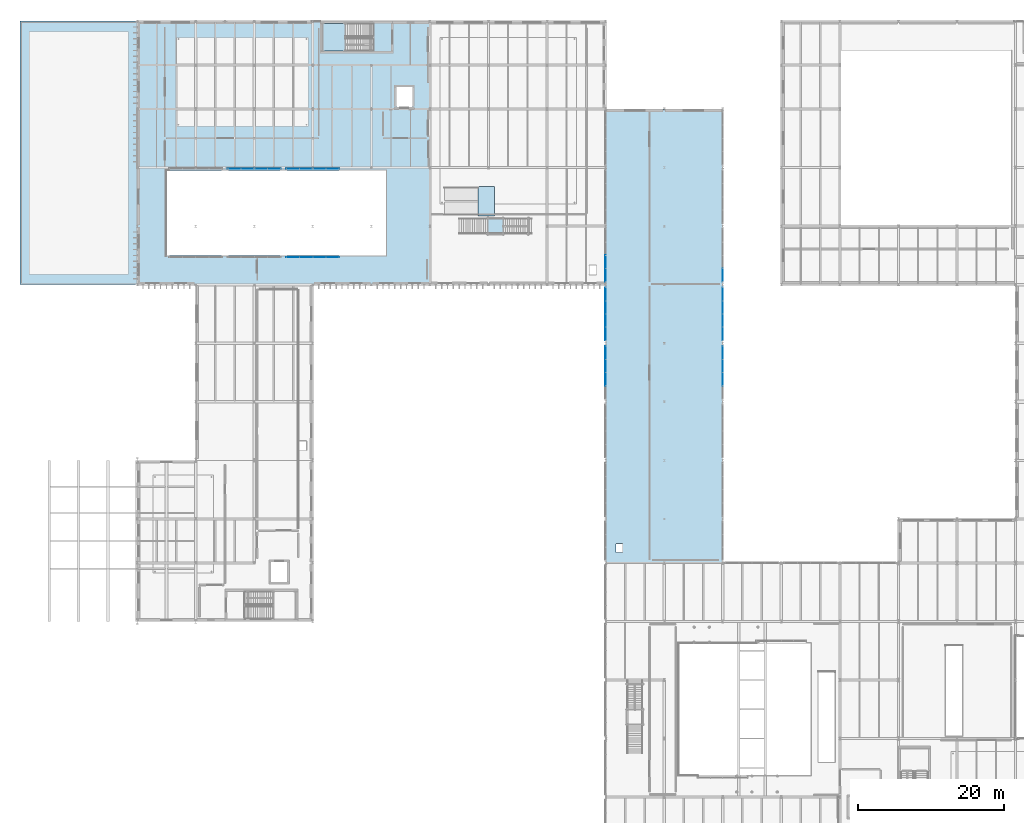
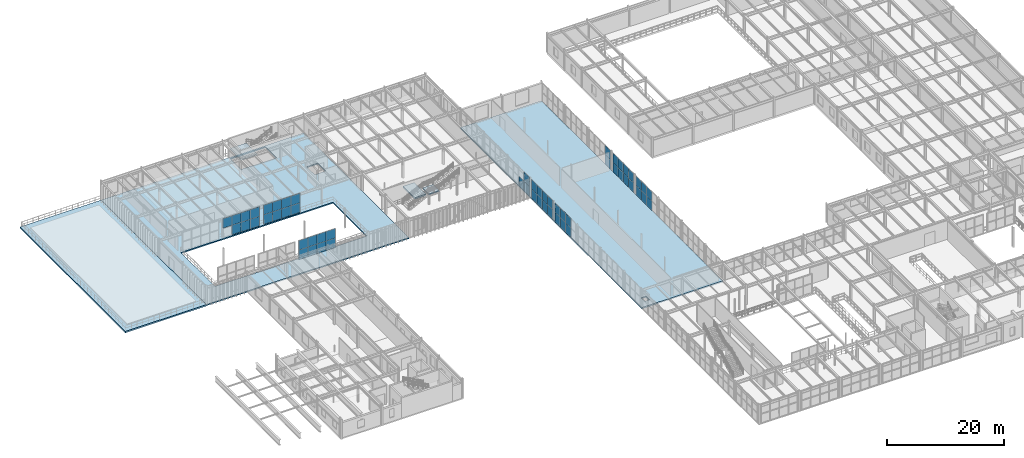
# One storey, part 71 of 122: 56 plates, 6 slabs, 12 elements without a shape of their own.
"""IFC4 building model written with IfcOpenShell, lengths in metres."""

from ifc_helpers import new_model, si_unit, direction, frame, origin, origin_2d, place, context, subcontext, project, spatial, polyline, rectangle, outline, extrude, material, layer, layer_set, type_object, element, aggregate, save


model = new_model("IFC4")

# Units and contexts
model_context = context("Model", 3, precision=1e-05, world=origin(), true_north=direction((0.0, 1.0)))
body_context = subcontext(model_context, "Body", "Model", "MODEL_VIEW")
ifc_project = project(units=[si_unit("LENGTHUNIT", "METRE"), si_unit("AREAUNIT", "SQUARE_METRE"), si_unit("VOLUMEUNIT", "CUBIC_METRE"), si_unit("PLANEANGLEUNIT", "RADIAN"), si_unit("MASSUNIT", "GRAM", prefix="KILO")], contexts=[model_context])

# Site, building, storey
site_placement = place(None, origin())
site = spatial("IfcSite", under=ifc_project, at=site_placement, CompositionType="ELEMENT")
building_placement = place(site_placement, origin())
building = spatial("IfcBuilding", under=site, at=building_placement, Name="Sundkrona Museum", CompositionType="ELEMENT")
storey_placement = place(building_placement, frame((0.0, 0.0, 5.39990234375)))
storey = spatial("IfcBuildingStorey", under=building, at=storey_placement, Name="L01", CompositionType="ELEMENT", Elevation=5.39990234375)

# Curtain wall, plates
ifc_material_1 = material(Name="Unitised Aluminium-Steel and Ceramic-Clad Curtain Walling", Category="steel")
curtain_wall_type_1 = type_object("IfcCurtainWallType", Name="CW-PS-54x38", PredefinedType="NOTDEFINED", material=ifc_material_1)
curtain_wall_1_placement = place(storey_placement, origin())
curtain_wall_1 = element("IfcCurtainWall", 1, at=curtain_wall_1_placement, inside=storey, type_object=curtain_wall_type_1, Name="L01 Curtain Wall CW-L01-114", PredefinedType="NOTDEFINED")
ifc_material_2 = material(Name="Triple Low-E Vision Glazing 32 mm", Category="glass")
ifc_layer_1 = layer(ifc_material_2, 0.031982421875)
ifc_layer_set_1 = layer_set([ifc_layer_1], Name="Triple Low-E Vision Glazing 32 mm")
plate_type = type_object("IfcPlateType", Name="PN-GL-01", PredefinedType="CURTAIN_PANEL", material=ifc_layer_set_1)
plate_1_placement = place(storey_placement, frame((80.0, 65.10009765625, -0.00390625), z_axis=(0.0, 0.0, 1.0), x_axis=(0.0, 1.0, 0.0)))
plate_1 = element("IfcPlate", 2, at=plate_1_placement, type_object=plate_type, Name="CW-L01-114 Panel 03", PredefinedType="CURTAIN_PANEL", context=body_context, shape_type="SweptSolid", body=[
    extrude(rectangle(XDim=1.800048828125, YDim=0.031982421875, at=origin_2d()), origin(), (0.0, 0.0, 1.0), 1.964111328125),
])
plate_2_placement = place(storey_placement, frame((80.0, 65.10009765625, 1.9599609375), z_axis=(0.0, 0.0, 1.0), x_axis=(0.0, 1.0, 0.0)))
plate_2 = element("IfcPlate", 3, at=plate_2_placement, type_object=plate_type, Name="CW-L01-114 Panel 04", PredefinedType="CURTAIN_PANEL", context=body_context, shape_type="SweptSolid", body=[
    extrude(rectangle(XDim=1.800048828125, YDim=0.031982421875, at=origin_2d()), origin(), (0.0, 0.0, 1.0), 1.964111328125),
])
plate_3_placement = place(storey_placement, frame((80.0, 66.89990234375, -0.00390625), z_axis=(0.0, 0.0, 1.0), x_axis=(0.0, 1.0, 0.0)))
plate_3 = element("IfcPlate", 4, at=plate_3_placement, type_object=plate_type, Name="CW-L01-114 Panel 05", PredefinedType="CURTAIN_PANEL", context=body_context, shape_type="SweptSolid", body=[
    extrude(rectangle(XDim=1.800048828125, YDim=0.031982421875, at=origin_2d()), origin(), (0.0, 0.0, 1.0), 1.964111328125),
])
plate_4_placement = place(storey_placement, frame((80.0, 66.89990234375, 1.9599609375), z_axis=(0.0, 0.0, 1.0), x_axis=(0.0, 1.0, 0.0)))
plate_4 = element("IfcPlate", 5, at=plate_4_placement, type_object=plate_type, Name="CW-L01-114 Panel 06", PredefinedType="CURTAIN_PANEL", context=body_context, shape_type="SweptSolid", body=[
    extrude(rectangle(XDim=1.800048828125, YDim=0.031982421875, at=origin_2d()), origin(), (0.0, 0.0, 1.0), 1.964111328125),
])
plate_5_placement = place(storey_placement, frame((80.0, 68.699951171875, -0.00390625), z_axis=(0.0, 0.0, 1.0), x_axis=(0.0, 1.0, 0.0)))
plate_5 = element("IfcPlate", 6, at=plate_5_placement, type_object=plate_type, Name="CW-L01-114 Panel 07", PredefinedType="CURTAIN_PANEL", context=body_context, shape_type="SweptSolid", body=[
    extrude(rectangle(XDim=1.800048828125, YDim=0.031982421875, at=origin_2d()), origin(), (0.0, 0.0, 1.0), 1.964111328125),
])
plate_6_placement = place(storey_placement, frame((80.0, 68.699951171875, 1.9599609375), z_axis=(0.0, 0.0, 1.0), x_axis=(0.0, 1.0, 0.0)))
plate_6 = element("IfcPlate", 7, at=plate_6_placement, type_object=plate_type, Name="CW-L01-114 Panel 08", PredefinedType="CURTAIN_PANEL", context=body_context, shape_type="SweptSolid", body=[
    extrude(rectangle(XDim=1.800048828125, YDim=0.031982421875, at=origin_2d()), origin(), (0.0, 0.0, 1.0), 1.964111328125),
])
aggregate(curtain_wall_1, [plate_1, plate_2, plate_3, plate_4, plate_5, plate_6])

curtain_wall_2_placement = place(storey_placement, origin())
curtain_wall_2 = element("IfcCurtainWall", 8, at=curtain_wall_2_placement, inside=storey, type_object=curtain_wall_type_1, Name="L01 Curtain Wall CW-L01-115", PredefinedType="NOTDEFINED")
plate_7_placement = place(storey_placement, frame((96.0, 65.10009765625, -0.00390625), z_axis=(0.0, 0.0, 1.0), x_axis=(0.0, 1.0, 0.0)))
plate_7 = element("IfcPlate", 9, at=plate_7_placement, type_object=plate_type, Name="CW-L01-115 Panel 03", PredefinedType="CURTAIN_PANEL", context=body_context, shape_type="SweptSolid", body=[
    extrude(rectangle(XDim=1.800048828125, YDim=0.031982421875, at=origin_2d()), origin(), (0.0, 0.0, 1.0), 1.964111328125),
])
plate_8_placement = place(storey_placement, frame((96.0, 65.10009765625, 1.9599609375), z_axis=(0.0, 0.0, 1.0), x_axis=(0.0, 1.0, 0.0)))
plate_8 = element("IfcPlate", 10, at=plate_8_placement, type_object=plate_type, Name="CW-L01-115 Panel 04", PredefinedType="CURTAIN_PANEL", context=body_context, shape_type="SweptSolid", body=[
    extrude(rectangle(XDim=1.800048828125, YDim=0.031982421875, at=origin_2d()), origin(), (0.0, 0.0, 1.0), 1.964111328125),
])
plate_9_placement = place(storey_placement, frame((96.0, 66.89990234375, -0.00390625), z_axis=(0.0, 0.0, 1.0), x_axis=(0.0, 1.0, 0.0)))
plate_9 = element("IfcPlate", 11, at=plate_9_placement, type_object=plate_type, Name="CW-L01-115 Panel 05", PredefinedType="CURTAIN_PANEL", context=body_context, shape_type="SweptSolid", body=[
    extrude(rectangle(XDim=1.800048828125, YDim=0.031982421875, at=origin_2d()), origin(), (0.0, 0.0, 1.0), 1.964111328125),
])
plate_10_placement = place(storey_placement, frame((96.0, 66.89990234375, 1.9599609375), z_axis=(0.0, 0.0, 1.0), x_axis=(0.0, 1.0, 0.0)))
plate_10 = element("IfcPlate", 12, at=plate_10_placement, type_object=plate_type, Name="CW-L01-115 Panel 06", PredefinedType="CURTAIN_PANEL", context=body_context, shape_type="SweptSolid", body=[
    extrude(rectangle(XDim=1.800048828125, YDim=0.031982421875, at=origin_2d()), origin(), (0.0, 0.0, 1.0), 1.964111328125),
])
plate_11_placement = place(storey_placement, frame((96.0, 68.699951171875, -0.00390625), z_axis=(0.0, 0.0, 1.0), x_axis=(0.0, 1.0, 0.0)))
plate_11 = element("IfcPlate", 13, at=plate_11_placement, type_object=plate_type, Name="CW-L01-115 Panel 07", PredefinedType="CURTAIN_PANEL", context=body_context, shape_type="SweptSolid", body=[
    extrude(rectangle(XDim=1.800048828125, YDim=0.031982421875, at=origin_2d()), origin(), (0.0, 0.0, 1.0), 1.964111328125),
])
plate_12_placement = place(storey_placement, frame((96.0, 68.699951171875, 1.9599609375), z_axis=(0.0, 0.0, 1.0), x_axis=(0.0, 1.0, 0.0)))
plate_12 = element("IfcPlate", 14, at=plate_12_placement, type_object=plate_type, Name="CW-L01-115 Panel 08", PredefinedType="CURTAIN_PANEL", context=body_context, shape_type="SweptSolid", body=[
    extrude(rectangle(XDim=1.800048828125, YDim=0.031982421875, at=origin_2d()), origin(), (0.0, 0.0, 1.0), 1.964111328125),
])
aggregate(curtain_wall_2, [plate_7, plate_8, plate_9, plate_10, plate_11, plate_12])

curtain_wall_3_placement = place(storey_placement, origin())
curtain_wall_3 = element("IfcCurtainWall", 15, at=curtain_wall_3_placement, inside=storey, type_object=curtain_wall_type_1, Name="L01 Curtain Wall CW-L01-116", PredefinedType="NOTDEFINED")
plate_13_placement = place(storey_placement, frame((80.0, 71.300048828125, -0.00390625), z_axis=(0.0, 0.0, 1.0), x_axis=(0.0, 1.0, 0.0)))
plate_13 = element("IfcPlate", 16, at=plate_13_placement, type_object=plate_type, Name="CW-L01-116 Panel 01", PredefinedType="CURTAIN_PANEL", context=body_context, shape_type="SweptSolid", body=[
    extrude(rectangle(XDim=1.800048828125, YDim=0.031982421875, at=origin_2d()), origin(), (0.0, 0.0, 1.0), 1.964111328125),
])
plate_14_placement = place(storey_placement, frame((80.0, 71.300048828125, 1.9599609375), z_axis=(0.0, 0.0, 1.0), x_axis=(0.0, 1.0, 0.0)))
plate_14 = element("IfcPlate", 17, at=plate_14_placement, type_object=plate_type, Name="CW-L01-116 Panel 02", PredefinedType="CURTAIN_PANEL", context=body_context, shape_type="SweptSolid", body=[
    extrude(rectangle(XDim=1.800048828125, YDim=0.031982421875, at=origin_2d()), origin(), (0.0, 0.0, 1.0), 1.964111328125),
])
plate_15_placement = place(storey_placement, frame((80.0, 73.10009765625, -0.00390625), z_axis=(0.0, 0.0, 1.0), x_axis=(0.0, 1.0, 0.0)))
plate_15 = element("IfcPlate", 18, at=plate_15_placement, type_object=plate_type, Name="CW-L01-116 Panel 03", PredefinedType="CURTAIN_PANEL", context=body_context, shape_type="SweptSolid", body=[
    extrude(rectangle(XDim=1.800048828125, YDim=0.031982421875, at=origin_2d()), origin(), (0.0, 0.0, 1.0), 1.964111328125),
])
plate_16_placement = place(storey_placement, frame((80.0, 73.10009765625, 1.9599609375), z_axis=(0.0, 0.0, 1.0), x_axis=(0.0, 1.0, 0.0)))
plate_16 = element("IfcPlate", 19, at=plate_16_placement, type_object=plate_type, Name="CW-L01-116 Panel 04", PredefinedType="CURTAIN_PANEL", context=body_context, shape_type="SweptSolid", body=[
    extrude(rectangle(XDim=1.800048828125, YDim=0.031982421875, at=origin_2d()), origin(), (0.0, 0.0, 1.0), 1.964111328125),
])
plate_17_placement = place(storey_placement, frame((80.0, 74.89990234375, -0.00390625), z_axis=(0.0, 0.0, 1.0), x_axis=(0.0, 1.0, 0.0)))
plate_17 = element("IfcPlate", 20, at=plate_17_placement, type_object=plate_type, Name="CW-L01-116 Panel 05", PredefinedType="CURTAIN_PANEL", context=body_context, shape_type="SweptSolid", body=[
    extrude(rectangle(XDim=1.800048828125, YDim=0.031982421875, at=origin_2d()), origin(), (0.0, 0.0, 1.0), 1.964111328125),
])
plate_18_placement = place(storey_placement, frame((80.0, 74.89990234375, 1.9599609375), z_axis=(0.0, 0.0, 1.0), x_axis=(0.0, 1.0, 0.0)))
plate_18 = element("IfcPlate", 21, at=plate_18_placement, type_object=plate_type, Name="CW-L01-116 Panel 06", PredefinedType="CURTAIN_PANEL", context=body_context, shape_type="SweptSolid", body=[
    extrude(rectangle(XDim=1.800048828125, YDim=0.031982421875, at=origin_2d()), origin(), (0.0, 0.0, 1.0), 1.964111328125),
])
plate_19_placement = place(storey_placement, frame((80.0, 76.699951171875, -0.00390625), z_axis=(0.0, 0.0, 1.0), x_axis=(0.0, 1.0, 0.0)))
plate_19 = element("IfcPlate", 22, at=plate_19_placement, type_object=plate_type, Name="CW-L01-116 Panel 07", PredefinedType="CURTAIN_PANEL", context=body_context, shape_type="SweptSolid", body=[
    extrude(rectangle(XDim=1.800048828125, YDim=0.031982421875, at=origin_2d()), origin(), (0.0, 0.0, 1.0), 1.964111328125),
])
plate_20_placement = place(storey_placement, frame((80.0, 76.699951171875, 1.9599609375), z_axis=(0.0, 0.0, 1.0), x_axis=(0.0, 1.0, 0.0)))
plate_20 = element("IfcPlate", 23, at=plate_20_placement, type_object=plate_type, Name="CW-L01-116 Panel 08", PredefinedType="CURTAIN_PANEL", context=body_context, shape_type="SweptSolid", body=[
    extrude(rectangle(XDim=1.800048828125, YDim=0.031982421875, at=origin_2d()), origin(), (0.0, 0.0, 1.0), 1.964111328125),
])
aggregate(curtain_wall_3, [plate_13, plate_14, plate_15, plate_16, plate_17, plate_18, plate_19, plate_20])

curtain_wall_4_placement = place(storey_placement, origin())
curtain_wall_4 = element("IfcCurtainWall", 24, at=curtain_wall_4_placement, inside=storey, type_object=curtain_wall_type_1, Name="L01 Curtain Wall CW-L01-117", PredefinedType="NOTDEFINED")
plate_21_placement = place(storey_placement, frame((96.0, 71.300048828125, -0.00390625), z_axis=(0.0, 0.0, 1.0), x_axis=(0.0, 1.0, 0.0)))
plate_21 = element("IfcPlate", 25, at=plate_21_placement, type_object=plate_type, Name="CW-L01-117 Panel 01", PredefinedType="CURTAIN_PANEL", context=body_context, shape_type="SweptSolid", body=[
    extrude(rectangle(XDim=1.800048828125, YDim=0.031982421875, at=origin_2d()), origin(), (0.0, 0.0, 1.0), 1.964111328125),
])
plate_22_placement = place(storey_placement, frame((96.0, 71.300048828125, 1.9599609375), z_axis=(0.0, 0.0, 1.0), x_axis=(0.0, 1.0, 0.0)))
plate_22 = element("IfcPlate", 26, at=plate_22_placement, type_object=plate_type, Name="CW-L01-117 Panel 02", PredefinedType="CURTAIN_PANEL", context=body_context, shape_type="SweptSolid", body=[
    extrude(rectangle(XDim=1.800048828125, YDim=0.031982421875, at=origin_2d()), origin(), (0.0, 0.0, 1.0), 1.964111328125),
])
plate_23_placement = place(storey_placement, frame((96.0, 73.10009765625, -0.00390625), z_axis=(0.0, 0.0, 1.0), x_axis=(0.0, 1.0, 0.0)))
plate_23 = element("IfcPlate", 27, at=plate_23_placement, type_object=plate_type, Name="CW-L01-117 Panel 03", PredefinedType="CURTAIN_PANEL", context=body_context, shape_type="SweptSolid", body=[
    extrude(rectangle(XDim=1.800048828125, YDim=0.031982421875, at=origin_2d()), origin(), (0.0, 0.0, 1.0), 1.964111328125),
])
plate_24_placement = place(storey_placement, frame((96.0, 73.10009765625, 1.9599609375), z_axis=(0.0, 0.0, 1.0), x_axis=(0.0, 1.0, 0.0)))
plate_24 = element("IfcPlate", 28, at=plate_24_placement, type_object=plate_type, Name="CW-L01-117 Panel 04", PredefinedType="CURTAIN_PANEL", context=body_context, shape_type="SweptSolid", body=[
    extrude(rectangle(XDim=1.800048828125, YDim=0.031982421875, at=origin_2d()), origin(), (0.0, 0.0, 1.0), 1.964111328125),
])
plate_25_placement = place(storey_placement, frame((96.0, 74.89990234375, -0.00390625), z_axis=(0.0, 0.0, 1.0), x_axis=(0.0, 1.0, 0.0)))
plate_25 = element("IfcPlate", 29, at=plate_25_placement, type_object=plate_type, Name="CW-L01-117 Panel 05", PredefinedType="CURTAIN_PANEL", context=body_context, shape_type="SweptSolid", body=[
    extrude(rectangle(XDim=1.800048828125, YDim=0.031982421875, at=origin_2d()), origin(), (0.0, 0.0, 1.0), 1.964111328125),
])
plate_26_placement = place(storey_placement, frame((96.0, 74.89990234375, 1.9599609375), z_axis=(0.0, 0.0, 1.0), x_axis=(0.0, 1.0, 0.0)))
plate_26 = element("IfcPlate", 30, at=plate_26_placement, type_object=plate_type, Name="CW-L01-117 Panel 06", PredefinedType="CURTAIN_PANEL", context=body_context, shape_type="SweptSolid", body=[
    extrude(rectangle(XDim=1.800048828125, YDim=0.031982421875, at=origin_2d()), origin(), (0.0, 0.0, 1.0), 1.964111328125),
])
plate_27_placement = place(storey_placement, frame((96.0, 76.699951171875, -0.00390625), z_axis=(0.0, 0.0, 1.0), x_axis=(0.0, 1.0, 0.0)))
plate_27 = element("IfcPlate", 31, at=plate_27_placement, type_object=plate_type, Name="CW-L01-117 Panel 07", PredefinedType="CURTAIN_PANEL", context=body_context, shape_type="SweptSolid", body=[
    extrude(rectangle(XDim=1.800048828125, YDim=0.031982421875, at=origin_2d()), origin(), (0.0, 0.0, 1.0), 1.964111328125),
])
plate_28_placement = place(storey_placement, frame((96.0, 76.699951171875, 1.9599609375), z_axis=(0.0, 0.0, 1.0), x_axis=(0.0, 1.0, 0.0)))
plate_28 = element("IfcPlate", 32, at=plate_28_placement, type_object=plate_type, Name="CW-L01-117 Panel 08", PredefinedType="CURTAIN_PANEL", context=body_context, shape_type="SweptSolid", body=[
    extrude(rectangle(XDim=1.800048828125, YDim=0.031982421875, at=origin_2d()), origin(), (0.0, 0.0, 1.0), 1.964111328125),
])
aggregate(curtain_wall_4, [plate_21, plate_22, plate_23, plate_24, plate_25, plate_26, plate_27, plate_28])

curtain_wall_5_placement = place(storey_placement, origin())
curtain_wall_5 = element("IfcCurtainWall", 33, at=curtain_wall_5_placement, inside=storey, type_object=curtain_wall_type_1, Name="L01 Curtain Wall CW-L01-118", PredefinedType="NOTDEFINED")
plate_29_placement = place(storey_placement, frame((80.0, 79.300048828125, -0.00390625), z_axis=(0.0, 0.0, 1.0), x_axis=(0.0, 1.0, 0.0)))
plate_29 = element("IfcPlate", 34, at=plate_29_placement, type_object=plate_type, Name="CW-L01-118 Panel 01", PredefinedType="CURTAIN_PANEL", context=body_context, shape_type="SweptSolid", body=[
    extrude(rectangle(XDim=1.800048828125, YDim=0.031982421875, at=origin_2d()), origin(), (0.0, 0.0, 1.0), 1.98388671875),
])
plate_30_placement = place(storey_placement, frame((80.0, 79.300048828125, 1.980224609375), z_axis=(0.0, 0.0, 1.0), x_axis=(0.0, 1.0, 0.0)))
plate_30 = element("IfcPlate", 35, at=plate_30_placement, type_object=plate_type, Name="CW-L01-118 Panel 02", PredefinedType="CURTAIN_PANEL", context=body_context, shape_type="SweptSolid", body=[
    extrude(rectangle(XDim=1.800048828125, YDim=0.031982421875, at=origin_2d()), origin(), (0.0, 0.0, 1.0), 1.98388671875),
])
plate_31_placement = place(storey_placement, frame((80.0, 81.10009765625, -0.00390625), z_axis=(0.0, 0.0, 1.0), x_axis=(0.0, 1.0, 0.0)))
plate_31 = element("IfcPlate", 36, at=plate_31_placement, type_object=plate_type, Name="CW-L01-118 Panel 03", PredefinedType="CURTAIN_PANEL", context=body_context, shape_type="SweptSolid", body=[
    extrude(rectangle(XDim=1.800048828125, YDim=0.031982421875, at=origin_2d()), origin(), (0.0, 0.0, 1.0), 1.98388671875),
])
aggregate(curtain_wall_5, [plate_29, plate_30, plate_31])

curtain_wall_6_placement = place(storey_placement, origin())
curtain_wall_6 = element("IfcCurtainWall", 37, at=curtain_wall_6_placement, inside=storey, type_object=curtain_wall_type_1, Name="L01 Curtain Wall CW-L01-119", PredefinedType="NOTDEFINED")
plate_32_placement = place(storey_placement, frame((96.0, 79.300048828125, -0.00390625), z_axis=(0.0, 0.0, 1.0), x_axis=(0.0, 1.0, 0.0)))
plate_32 = element("IfcPlate", 38, at=plate_32_placement, type_object=plate_type, Name="CW-L01-119 Panel 01", PredefinedType="CURTAIN_PANEL", context=body_context, shape_type="SweptSolid", body=[
    extrude(rectangle(XDim=1.800048828125, YDim=0.031982421875, at=origin_2d()), origin(), (0.0, 0.0, 1.0), 1.964111328125),
])
plate_33_placement = place(storey_placement, frame((96.0, 79.300048828125, 1.9599609375), z_axis=(0.0, 0.0, 1.0), x_axis=(0.0, 1.0, 0.0)))
plate_33 = element("IfcPlate", 39, at=plate_33_placement, type_object=plate_type, Name="CW-L01-119 Panel 02", PredefinedType="CURTAIN_PANEL", context=body_context, shape_type="SweptSolid", body=[
    extrude(rectangle(XDim=1.800048828125, YDim=0.031982421875, at=origin_2d()), origin(), (0.0, 0.0, 1.0), 1.964111328125),
])
aggregate(curtain_wall_6, [plate_32, plate_33])

curtain_wall_type_2 = type_object("IfcCurtainWallType", Name="CW-CL-64x38", PredefinedType="NOTDEFINED", material=ifc_material_1)
curtain_wall_7_placement = place(storey_placement, origin())
curtain_wall_7 = element("IfcCurtainWall", 40, at=curtain_wall_7_placement, inside=storey, type_object=curtain_wall_type_2, Name="L01 Curtain Wall CW-L01-127", PredefinedType="NOTDEFINED")
plate_34_placement = place(storey_placement, frame((29.300048828125, 93.85009765625, 1.980224609375), z_axis=(0.0, 0.0, 1.0), x_axis=(1.0, 0.0, 0.0)))
plate_34 = element("IfcPlate", 41, at=plate_34_placement, type_object=plate_type, Name="CW-L01-127 Panel 02", PredefinedType="CURTAIN_PANEL", context=body_context, shape_type="SweptSolid", body=[
    extrude(rectangle(XDim=1.800048828125, YDim=0.031982421875, at=origin_2d()), origin(), (0.0, 0.0, 1.0), 1.98388671875),
])
plate_35_placement = place(storey_placement, frame((31.10009765625, 93.85009765625, -0.00390625), z_axis=(0.0, 0.0, 1.0), x_axis=(1.0, 0.0, 0.0)))
plate_35 = element("IfcPlate", 42, at=plate_35_placement, type_object=plate_type, Name="CW-L01-127 Panel 03", PredefinedType="CURTAIN_PANEL", context=body_context, shape_type="SweptSolid", body=[
    extrude(rectangle(XDim=1.800048828125, YDim=0.031982421875, at=origin_2d()), origin(), (0.0, 0.0, 1.0), 1.98388671875),
])
plate_36_placement = place(storey_placement, frame((31.10009765625, 93.85009765625, 1.980224609375), z_axis=(0.0, 0.0, 1.0), x_axis=(1.0, 0.0, 0.0)))
plate_36 = element("IfcPlate", 43, at=plate_36_placement, type_object=plate_type, Name="CW-L01-127 Panel 04", PredefinedType="CURTAIN_PANEL", context=body_context, shape_type="SweptSolid", body=[
    extrude(rectangle(XDim=1.800048828125, YDim=0.031982421875, at=origin_2d()), origin(), (0.0, 0.0, 1.0), 1.98388671875),
])
plate_37_placement = place(storey_placement, frame((32.89990234375, 93.85009765625, -0.00390625), z_axis=(0.0, 0.0, 1.0), x_axis=(1.0, 0.0, 0.0)))
plate_37 = element("IfcPlate", 44, at=plate_37_placement, type_object=plate_type, Name="CW-L01-127 Panel 05", PredefinedType="CURTAIN_PANEL", context=body_context, shape_type="SweptSolid", body=[
    extrude(rectangle(XDim=1.800048828125, YDim=0.031982421875, at=origin_2d()), origin(), (0.0, 0.0, 1.0), 1.98388671875),
])
plate_38_placement = place(storey_placement, frame((32.89990234375, 93.85009765625, 1.980224609375), z_axis=(0.0, 0.0, 1.0), x_axis=(1.0, 0.0, 0.0)))
plate_38 = element("IfcPlate", 45, at=plate_38_placement, type_object=plate_type, Name="CW-L01-127 Panel 06", PredefinedType="CURTAIN_PANEL", context=body_context, shape_type="SweptSolid", body=[
    extrude(rectangle(XDim=1.800048828125, YDim=0.031982421875, at=origin_2d()), origin(), (0.0, 0.0, 1.0), 1.98388671875),
])
plate_39_placement = place(storey_placement, frame((34.699951171875, 93.85009765625, -0.00390625), z_axis=(0.0, 0.0, 1.0), x_axis=(1.0, 0.0, 0.0)))
plate_39 = element("IfcPlate", 46, at=plate_39_placement, type_object=plate_type, Name="CW-L01-127 Panel 07", PredefinedType="CURTAIN_PANEL", context=body_context, shape_type="SweptSolid", body=[
    extrude(rectangle(XDim=1.800048828125, YDim=0.031982421875, at=origin_2d()), origin(), (0.0, 0.0, 1.0), 1.98388671875),
])
plate_40_placement = place(storey_placement, frame((34.699951171875, 93.85009765625, 1.980224609375), z_axis=(0.0, 0.0, 1.0), x_axis=(1.0, 0.0, 0.0)))
plate_40 = element("IfcPlate", 47, at=plate_40_placement, type_object=plate_type, Name="CW-L01-127 Panel 08", PredefinedType="CURTAIN_PANEL", context=body_context, shape_type="SweptSolid", body=[
    extrude(rectangle(XDim=1.800048828125, YDim=0.031982421875, at=origin_2d()), origin(), (0.0, 0.0, 1.0), 1.98388671875),
])
aggregate(curtain_wall_7, [plate_34, plate_35, plate_36, plate_37, plate_38, plate_39, plate_40])

curtain_wall_8_placement = place(storey_placement, origin())
curtain_wall_8 = element("IfcCurtainWall", 48, at=curtain_wall_8_placement, inside=storey, type_object=curtain_wall_type_2, Name="L01 Curtain Wall CW-L01-128", PredefinedType="NOTDEFINED")
plate_41_placement = place(storey_placement, frame((37.300048828125, 81.75, -0.00390625), z_axis=(0.0, 0.0, 1.0), x_axis=(1.0, 0.0, 0.0)))
plate_41 = element("IfcPlate", 49, at=plate_41_placement, type_object=plate_type, Name="CW-L01-128 Panel 01", PredefinedType="CURTAIN_PANEL", context=body_context, shape_type="SweptSolid", body=[
    extrude(rectangle(XDim=1.800048828125, YDim=0.031982421875, at=origin_2d()), origin(), (0.0, 0.0, 1.0), 1.98388671875),
])
plate_42_placement = place(storey_placement, frame((37.300048828125, 81.75, 1.980224609375), z_axis=(0.0, 0.0, 1.0), x_axis=(1.0, 0.0, 0.0)))
plate_42 = element("IfcPlate", 50, at=plate_42_placement, type_object=plate_type, Name="CW-L01-128 Panel 02", PredefinedType="CURTAIN_PANEL", context=body_context, shape_type="SweptSolid", body=[
    extrude(rectangle(XDim=1.800048828125, YDim=0.031982421875, at=origin_2d()), origin(), (0.0, 0.0, 1.0), 1.98388671875),
])
plate_43_placement = place(storey_placement, frame((39.10009765625, 81.75, -0.00390625), z_axis=(0.0, 0.0, 1.0), x_axis=(1.0, 0.0, 0.0)))
plate_43 = element("IfcPlate", 51, at=plate_43_placement, type_object=plate_type, Name="CW-L01-128 Panel 03", PredefinedType="CURTAIN_PANEL", context=body_context, shape_type="SweptSolid", body=[
    extrude(rectangle(XDim=1.800048828125, YDim=0.031982421875, at=origin_2d()), origin(), (0.0, 0.0, 1.0), 1.98388671875),
])
plate_44_placement = place(storey_placement, frame((39.10009765625, 81.75, 1.980224609375), z_axis=(0.0, 0.0, 1.0), x_axis=(1.0, 0.0, 0.0)))
plate_44 = element("IfcPlate", 52, at=plate_44_placement, type_object=plate_type, Name="CW-L01-128 Panel 04", PredefinedType="CURTAIN_PANEL", context=body_context, shape_type="SweptSolid", body=[
    extrude(rectangle(XDim=1.800048828125, YDim=0.031982421875, at=origin_2d()), origin(), (0.0, 0.0, 1.0), 1.98388671875),
])
plate_45_placement = place(storey_placement, frame((40.89990234375, 81.75, -0.00390625), z_axis=(0.0, 0.0, 1.0), x_axis=(1.0, 0.0, 0.0)))
plate_45 = element("IfcPlate", 53, at=plate_45_placement, type_object=plate_type, Name="CW-L01-128 Panel 05", PredefinedType="CURTAIN_PANEL", context=body_context, shape_type="SweptSolid", body=[
    extrude(rectangle(XDim=1.800048828125, YDim=0.031982421875, at=origin_2d()), origin(), (0.0, 0.0, 1.0), 1.98388671875),
])
plate_46_placement = place(storey_placement, frame((40.89990234375, 81.75, 1.980224609375), z_axis=(0.0, 0.0, 1.0), x_axis=(1.0, 0.0, 0.0)))
plate_46 = element("IfcPlate", 54, at=plate_46_placement, type_object=plate_type, Name="CW-L01-128 Panel 06", PredefinedType="CURTAIN_PANEL", context=body_context, shape_type="SweptSolid", body=[
    extrude(rectangle(XDim=1.800048828125, YDim=0.031982421875, at=origin_2d()), origin(), (0.0, 0.0, 1.0), 1.98388671875),
])
plate_47_placement = place(storey_placement, frame((42.699951171875, 81.75, -0.00390625), z_axis=(0.0, 0.0, 1.0), x_axis=(1.0, 0.0, 0.0)))
plate_47 = element("IfcPlate", 55, at=plate_47_placement, type_object=plate_type, Name="CW-L01-128 Panel 07", PredefinedType="CURTAIN_PANEL", context=body_context, shape_type="SweptSolid", body=[
    extrude(rectangle(XDim=1.800048828125, YDim=0.031982421875, at=origin_2d()), origin(), (0.0, 0.0, 1.0), 1.98388671875),
])
plate_48_placement = place(storey_placement, frame((42.699951171875, 81.75, 1.980224609375), z_axis=(0.0, 0.0, 1.0), x_axis=(1.0, 0.0, 0.0)))
plate_48 = element("IfcPlate", 56, at=plate_48_placement, type_object=plate_type, Name="CW-L01-128 Panel 08", PredefinedType="CURTAIN_PANEL", context=body_context, shape_type="SweptSolid", body=[
    extrude(rectangle(XDim=1.800048828125, YDim=0.031982421875, at=origin_2d()), origin(), (0.0, 0.0, 1.0), 1.98388671875),
])
aggregate(curtain_wall_8, [plate_41, plate_42, plate_43, plate_44, plate_45, plate_46, plate_47, plate_48])

curtain_wall_9_placement = place(storey_placement, origin())
curtain_wall_9 = element("IfcCurtainWall", 57, at=curtain_wall_9_placement, inside=storey, type_object=curtain_wall_type_2, Name="L01 Curtain Wall CW-L01-129", PredefinedType="NOTDEFINED")
plate_49_placement = place(storey_placement, frame((37.300048828125, 93.85009765625, -0.00390625), z_axis=(0.0, 0.0, 1.0), x_axis=(1.0, 0.0, 0.0)))
plate_49 = element("IfcPlate", 58, at=plate_49_placement, type_object=plate_type, Name="CW-L01-129 Panel 01", PredefinedType="CURTAIN_PANEL", context=body_context, shape_type="SweptSolid", body=[
    extrude(rectangle(XDim=1.800048828125, YDim=0.031982421875, at=origin_2d()), origin(), (0.0, 0.0, 1.0), 1.98388671875),
])
plate_50_placement = place(storey_placement, frame((37.300048828125, 93.85009765625, 1.980224609375), z_axis=(0.0, 0.0, 1.0), x_axis=(1.0, 0.0, 0.0)))
plate_50 = element("IfcPlate", 59, at=plate_50_placement, type_object=plate_type, Name="CW-L01-129 Panel 02", PredefinedType="CURTAIN_PANEL", context=body_context, shape_type="SweptSolid", body=[
    extrude(rectangle(XDim=1.800048828125, YDim=0.031982421875, at=origin_2d()), origin(), (0.0, 0.0, 1.0), 1.98388671875),
])
plate_51_placement = place(storey_placement, frame((39.10009765625, 93.85009765625, -0.00390625), z_axis=(0.0, 0.0, 1.0), x_axis=(1.0, 0.0, 0.0)))
plate_51 = element("IfcPlate", 60, at=plate_51_placement, type_object=plate_type, Name="CW-L01-129 Panel 03", PredefinedType="CURTAIN_PANEL", context=body_context, shape_type="SweptSolid", body=[
    extrude(rectangle(XDim=1.800048828125, YDim=0.031982421875, at=origin_2d()), origin(), (0.0, 0.0, 1.0), 1.98388671875),
])
plate_52_placement = place(storey_placement, frame((39.10009765625, 93.85009765625, 1.980224609375), z_axis=(0.0, 0.0, 1.0), x_axis=(1.0, 0.0, 0.0)))
plate_52 = element("IfcPlate", 61, at=plate_52_placement, type_object=plate_type, Name="CW-L01-129 Panel 04", PredefinedType="CURTAIN_PANEL", context=body_context, shape_type="SweptSolid", body=[
    extrude(rectangle(XDim=1.800048828125, YDim=0.031982421875, at=origin_2d()), origin(), (0.0, 0.0, 1.0), 1.98388671875),
])
plate_53_placement = place(storey_placement, frame((40.89990234375, 93.85009765625, -0.00390625), z_axis=(0.0, 0.0, 1.0), x_axis=(1.0, 0.0, 0.0)))
plate_53 = element("IfcPlate", 62, at=plate_53_placement, type_object=plate_type, Name="CW-L01-129 Panel 05", PredefinedType="CURTAIN_PANEL", context=body_context, shape_type="SweptSolid", body=[
    extrude(rectangle(XDim=1.800048828125, YDim=0.031982421875, at=origin_2d()), origin(), (0.0, 0.0, 1.0), 1.98388671875),
])
plate_54_placement = place(storey_placement, frame((40.89990234375, 93.85009765625, 1.980224609375), z_axis=(0.0, 0.0, 1.0), x_axis=(1.0, 0.0, 0.0)))
plate_54 = element("IfcPlate", 63, at=plate_54_placement, type_object=plate_type, Name="CW-L01-129 Panel 06", PredefinedType="CURTAIN_PANEL", context=body_context, shape_type="SweptSolid", body=[
    extrude(rectangle(XDim=1.800048828125, YDim=0.031982421875, at=origin_2d()), origin(), (0.0, 0.0, 1.0), 1.98388671875),
])
plate_55_placement = place(storey_placement, frame((42.699951171875, 93.85009765625, -0.00390625), z_axis=(0.0, 0.0, 1.0), x_axis=(1.0, 0.0, 0.0)))
plate_55 = element("IfcPlate", 64, at=plate_55_placement, type_object=plate_type, Name="CW-L01-129 Panel 07", PredefinedType="CURTAIN_PANEL", context=body_context, shape_type="SweptSolid", body=[
    extrude(rectangle(XDim=1.800048828125, YDim=0.031982421875, at=origin_2d()), origin(), (0.0, 0.0, 1.0), 1.98388671875),
])
plate_56_placement = place(storey_placement, frame((42.699951171875, 93.85009765625, 1.980224609375), z_axis=(0.0, 0.0, 1.0), x_axis=(1.0, 0.0, 0.0)))
plate_56 = element("IfcPlate", 65, at=plate_56_placement, type_object=plate_type, Name="CW-L01-129 Panel 08", PredefinedType="CURTAIN_PANEL", context=body_context, shape_type="SweptSolid", body=[
    extrude(rectangle(XDim=1.800048828125, YDim=0.031982421875, at=origin_2d()), origin(), (0.0, 0.0, 1.0), 1.98388671875),
])
aggregate(curtain_wall_9, [plate_49, plate_50, plate_51, plate_52, plate_53, plate_54, plate_55, plate_56])

# Slabs
ifc_material_3 = material(Name="Concrete C35/45", Category="concrete")
ifc_layer_2 = layer(ifc_material_3, 0.239990234375)
ifc_layer_set_2 = layer_set([ifc_layer_2], Name="Concrete C35/45")
slab_type_1 = type_object("IfcSlabType", Name="SL-FL-240", PredefinedType="FLOOR", material=ifc_layer_set_2)
slab_1_placement = place(storey_placement, frame((0.0, 0.0, -0.239990234375)))
element("IfcSlab", 66, at=slab_1_placement, inside=storey, type_object=slab_type_1, Name="L01 Standard composite gallery floor slab 240 mm (SL-L01-V3W)", PredefinedType="FLOOR", context=body_context, shape_type="SweptSolid", body=[
    extrude(outline(polyline([(16.0, 78.0), (56.0, 78.0), (56.0, 114.0), (16.0, 114.0), (16.0, 78.0)]), holes=[polyline([(53.60009765625, 102.300048828125), (51.39990234375, 102.300048828125), (51.39990234375, 105.0), (53.60009765625, 105.0), (53.60009765625, 102.300048828125)]), polyline([(20.0, 93.60009765625), (50.0, 93.60009765625), (50.0, 82.0), (20.0, 82.0), (20.0, 93.60009765625)]), polyline([(41.324951171875, 113.675048828125), (48.27490234375, 113.675048828125), (48.27490234375, 109.925048828125), (41.324951171875, 109.925048828125), (41.324951171875, 113.675048828125)])]), origin(), (0.0, 0.0, 1.0), 0.239990234375),
])
ifc_layer_3 = layer(ifc_material_3, 0.260009765625)
ifc_layer_set_3 = layer_set([ifc_layer_3], Name="Concrete C35/45")
slab_type_2 = type_object("IfcSlabType", Name="SL-FL-260", PredefinedType="FLOOR", material=ifc_layer_set_3)
slab_2_placement = place(storey_placement, frame((0.0, 0.0, -0.260009765625)))
element("IfcSlab", 67, at=slab_2_placement, inside=storey, type_object=slab_type_2, Name="L01 Atrium and education composite floor slab 260 mm (SL-L01-V2P)", PredefinedType="FLOOR", context=body_context, shape_type="SweptSolid", body=[
    extrude(outline(polyline([(80.0, 40.0), (96.0, 40.0), (96.0, 102.0), (80.0, 102.0), (80.0, 40.0)]), holes=[polyline([(82.300048828125, 41.39990234375), (81.39990234375, 41.39990234375), (81.39990234375, 42.60009765625), (82.300048828125, 42.60009765625), (82.300048828125, 41.39990234375)])]), origin(), (0.0, 0.0, 1.0), 0.260009765625),
])
ifc_layer_4 = layer(ifc_material_3, 0.300048828125)
ifc_layer_set_4 = layer_set([ifc_layer_4], Name="Concrete C35/45")
slab_type_3 = type_object("IfcSlabType", Name="SL-GD-300", PredefinedType="FLOOR", material=ifc_layer_set_4)
slab_3_placement = place(storey_placement, frame((0.0, 0.0, -0.2998046875)))
element("IfcSlab", 68, at=slab_3_placement, inside=storey, type_object=slab_type_3, Name="L01 Planted roof-garden waterproofed structural deck 300 mm (SL-L01-TR0)", PredefinedType="FLOOR", context=body_context, shape_type="SweptSolid", body=[
    extrude(outline(polyline([(0.0, 78.0), (16.0, 78.0), (16.0, 114.0), (0.0, 114.0), (0.0, 78.0)])), origin(), (0.0, 0.0, 1.0), 0.2998046875),
])

# Stair, slab
stair_type_1 = type_object("IfcStairType", Name="ST-DL-420", PredefinedType="HALF_TURN_STAIR", material=ifc_material_3)
stair_1_placement = place(storey_placement, origin())
stair_1 = element("IfcStair", 69, at=stair_1_placement, inside=storey, type_object=stair_type_1, Name="L01 Protected Stair Core ST-3", PredefinedType="HALF_TURN_STAIR")
ifc_layer_5 = layer(ifc_material_3, 0.219970703125)
ifc_layer_set_5 = layer_set([ifc_layer_5], Name="Concrete C35/45")
slab_type_4 = type_object("IfcSlabType", Name="SL-LN-220", PredefinedType="LANDING", material=ifc_layer_set_5)
slab_4_placement = place(storey_placement, frame((0.0, 0.0, 1.880126953125)))
slab_4 = element("IfcSlab", 70, at=slab_4_placement, type_object=slab_type_4, Name="L01 Protected Stair Core ST-3 Landing 1", PredefinedType="LANDING", context=body_context, shape_type="SweptSolid", body=[
    extrude(outline(polyline([(44.465087890625, 113.699951171875), (41.300048828125, 113.699951171875), (41.300048828125, 109.89990234375), (44.465087890625, 109.89990234375), (44.465087890625, 113.699951171875)])), origin(), (0.0, 0.0, 1.0), 0.219970703125),
])
aggregate(stair_1, [slab_4])

ifc_material_4 = material(Name="Steel S355J2 and Terrazzo Treads", Category="steel")
stair_type_2 = type_object("IfcStairType", Name="ST-FS-420", PredefinedType="STRAIGHT_RUN_STAIR", material=ifc_material_4)
stair_2_placement = place(storey_placement, origin())
stair_2 = element("IfcStair", 71, at=stair_2_placement, inside=storey, type_object=stair_type_2, Name="L01 Feature Stair FS-6", PredefinedType="STRAIGHT_RUN_STAIR")
slab_5_placement = place(storey_placement, frame((0.0, 0.0, 1.880126953125)))
slab_5 = element("IfcSlab", 72, at=slab_5_placement, type_object=slab_type_4, Name="L01 Feature Stair FS-6 Landing 1", PredefinedType="LANDING", context=body_context, shape_type="SweptSolid", body=[
    extrude(outline(polyline([(63.89990234375, 84.949951171875), (66.0, 84.949951171875), (66.0, 87.050048828125), (63.89990234375, 87.050048828125), (63.89990234375, 84.949951171875)])), origin(), (0.0, 0.0, 1.0), 0.219970703125),
])
aggregate(stair_2, [slab_5])

# Ramp, slab
ramp_type = type_object("IfcRampType", Name="RMP-ACC-180", PredefinedType="HALF_TURN_RAMP", material=ifc_material_3)
ramp_placement = place(storey_placement, origin())
ramp = element("IfcRamp", 73, at=ramp_placement, inside=storey, type_object=ramp_type, Name="L01 Accessible Gallery Dais Ramp RMP-04", PredefinedType="HALF_TURN_RAMP")
slab_6_placement = place(storey_placement, frame((0.0, 0.0, -0.02001953125)))
slab_6 = element("IfcSlab", 74, at=slab_6_placement, type_object=slab_type_4, Name="RMP-04 Accessible Dais Landing", PredefinedType="LANDING", context=body_context, shape_type="SweptSolid", body=[
    extrude(outline(polyline([(62.570068359375, 87.39990234375), (64.800048828125, 87.39990234375), (64.800048828125, 91.39990234375), (62.570068359375, 91.39990234375), (62.570068359375, 87.39990234375)])), origin(), (0.0, 0.0, 1.0), 0.300048828125),
])
aggregate(ramp, [slab_6])

save(model, "model.ifc")
